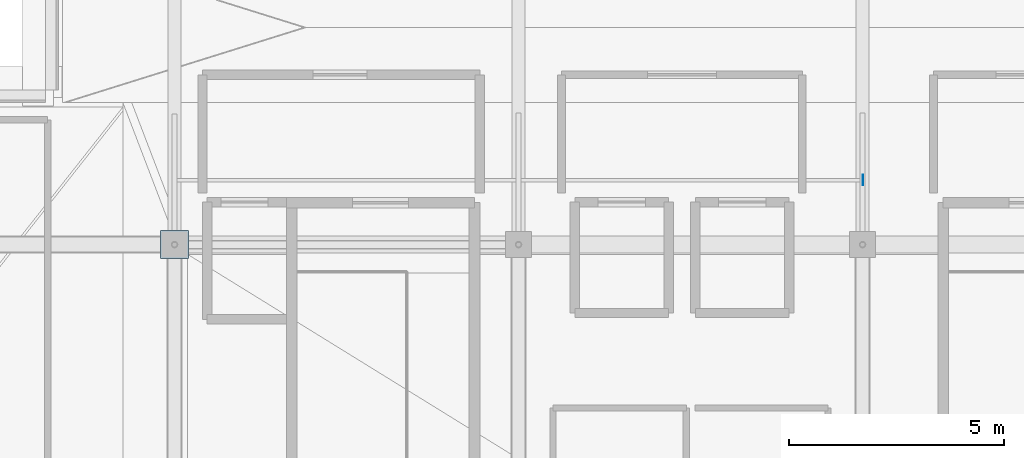
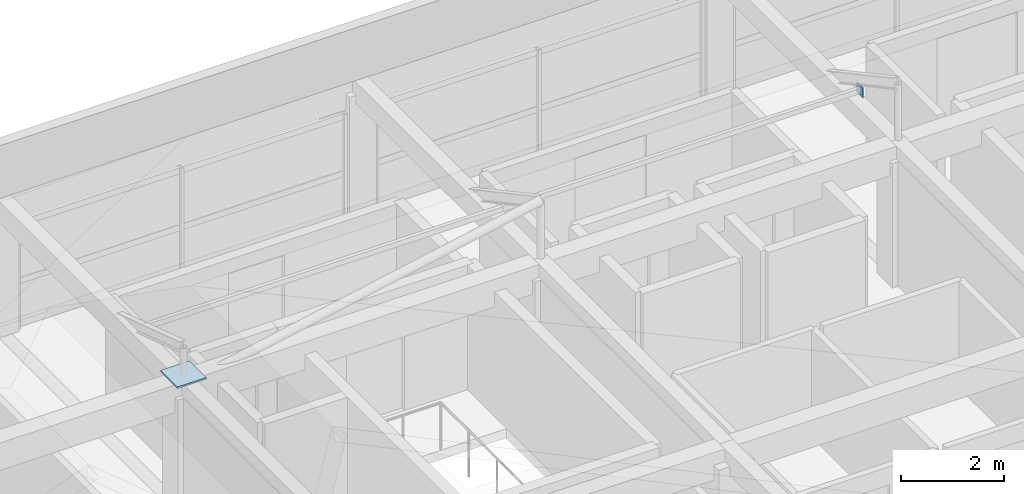
# One storey, part 31 of 39: 2 plates.
"""IFC4 building model written with IfcOpenShell, lengths in metres."""

from ifc_helpers import new_model, si_unit, direction, frame, origin, origin_2d, place, context, subcontext, project, spatial, rectangle, extrude, material, layer, layer_set, type_object, element, save


model = new_model("IFC4")

# Units and contexts
model_context = context("Model", 3, precision=1e-05, world=origin(), true_north=direction((0.0, 1.0)))
body_context = subcontext(model_context, "Body", "Model", "MODEL_VIEW")
ifc_project = project(units=[si_unit("LENGTHUNIT", "METRE"), si_unit("AREAUNIT", "SQUARE_METRE"), si_unit("VOLUMEUNIT", "CUBIC_METRE"), si_unit("PLANEANGLEUNIT", "RADIAN"), si_unit("MASSUNIT", "GRAM", prefix="KILO")], contexts=[model_context])

# Site, building, storey
site_placement = place(None, origin())
site = spatial("IfcSite", under=ifc_project, at=site_placement, CompositionType="ELEMENT")
building_placement = place(site_placement, origin())
building = spatial("IfcBuilding", under=site, at=building_placement, Name="Akrevak Sports Hall", CompositionType="ELEMENT")
storey_placement = place(building_placement, frame((0.0, 0.0, 66.550048828125)))
storey = spatial("IfcBuildingStorey", under=building, at=storey_placement, Name="L17", CompositionType="ELEMENT", Elevation=66.550048828125)

# Plates
ifc_material = material(Name="Steel S355", Category="steel")
ifc_layer_1 = layer(ifc_material, 0.035888671875, Name="Steel S355")
ifc_layer_set_1 = layer_set([ifc_layer_1], Name="Steel S355")
plate_type_1 = type_object("IfcPlateType", Name="STR-PLT-ANCHOR-36", PredefinedType="SHEET", material=ifc_layer_set_1)
plate_1_placement = place(storey_placement, frame((60.0, 62.39990234375, 3.251953125), z_axis=(0.0, 0.0, 1.0), x_axis=(1.0, 0.0, 0.0)))
element("IfcPlate", 1, at=plate_1_placement, inside=storey, type_object=plate_type_1, Name="Mansard Rafter Bearing Shoe Plate MBRC-WN-1", PredefinedType="SHEET", context=body_context, shape_type="SweptSolid", body=[
    extrude(rectangle(XDim=0.64990234375, YDim=0.64990234375, at=origin_2d()), origin(), (0.0, 0.0, 1.0), 0.035888671875),
])
ifc_layer_2 = layer(ifc_material, 0.02001953125, Name="Steel S355")
ifc_layer_set_2 = layer_set([ifc_layer_2], Name="Steel S355")
plate_type_2 = type_object("IfcPlateType", Name="STR-PLT-CAP-20", PredefinedType="SHEET", material=ifc_layer_set_2)
plate_2_placement = place(storey_placement, frame((76.010009765625, 63.89990234375, 3.3798828125), z_axis=(0.0, 0.0, 1.0), x_axis=(1.0, 0.0, 0.0)))
element("IfcPlate", 2, at=plate_2_placement, inside=storey, type_object=plate_type_2, Name="Mansard Purlin Welded End Cap Plate PUR-WNB", PredefinedType="SHEET", context=body_context, shape_type="SweptSolid", body=[
    extrude(rectangle(XDim=0.02001953125, YDim=0.239990234375, at=origin_2d()), origin(), (0.0, 0.0, 1.0), 0.239990234375),
])

save(model, "model.ifc")
